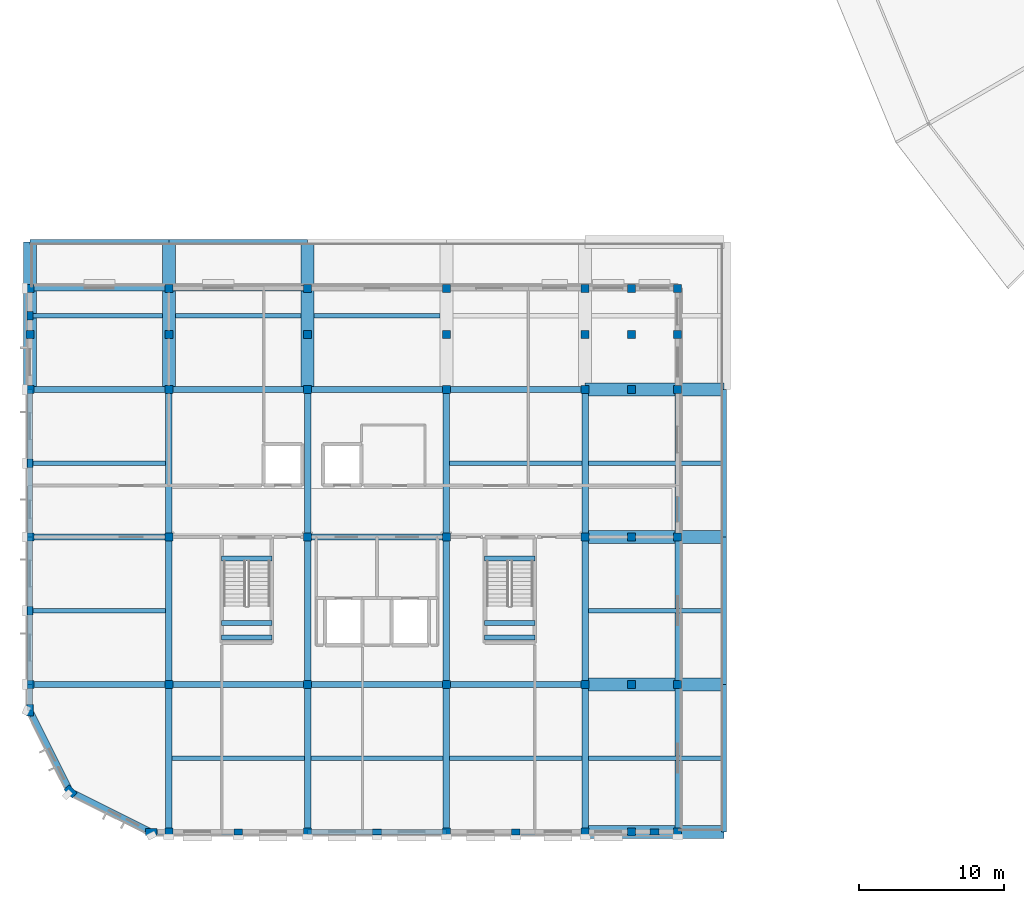
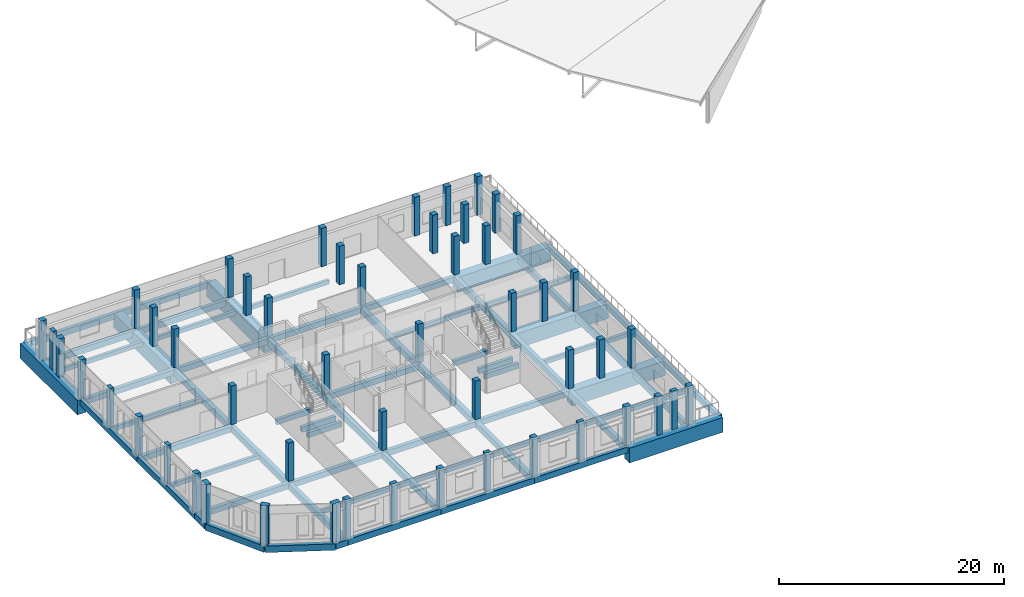
# One storey, part 1 of 70: 66 beams, 51 columns.
"""IFC4 building model written with IfcOpenShell, lengths in metres."""

from ifc_helpers import new_model, si_unit, direction, frame, origin, origin_2d, place, context, subcontext, project, spatial, rectangle, extrude, material, material_profile, profile_set, type_object, element, save


model = new_model("IFC4")

# Units and contexts
model_context = context("Model", 3, precision=1e-05, world=origin(), true_north=direction((0.0, 1.0)))
body_context = subcontext(model_context, "Body", "Model", "MODEL_VIEW")
ifc_project = project(units=[si_unit("LENGTHUNIT", "METRE"), si_unit("AREAUNIT", "SQUARE_METRE"), si_unit("VOLUMEUNIT", "CUBIC_METRE"), si_unit("PLANEANGLEUNIT", "RADIAN"), si_unit("MASSUNIT", "GRAM", prefix="KILO")], contexts=[model_context])

# Site, building, storey
site_placement = place(None, origin())
site = spatial("IfcSite", under=ifc_project, at=site_placement, CompositionType="ELEMENT")
building_placement = place(site_placement, origin())
building = spatial("IfcBuilding", under=site, at=building_placement, Name="Vondelvale Polytechnic", CompositionType="ELEMENT")
storey_placement = place(building_placement, frame((0.0, 0.0, 22.199951171875)))
storey = spatial("IfcBuildingStorey", under=building, at=storey_placement, Name="L05", CompositionType="ELEMENT", Elevation=22.199951171875)

# Columns
ifc_material_1 = material(Name="Concrete N50 (f'c = 50 MPa)", Category="concrete")
ifc_material_profile_1 = material_profile(ifc_material_1, rectangle(XDim=0.550048828125, YDim=0.550048828125, at=origin_2d()), Name="RC-COL-550x550")
ifc_profile_set_1 = profile_set([ifc_material_profile_1], Name="Concrete N50 (f'c = 50 MPa)")
column_type_1 = type_object("IfcColumnType", Name="COL-RC550", PredefinedType="COLUMN", material=ifc_profile_set_1)
for number, where, z_axis, x_axis, name in (
    (1, (0.0, 10.199951171875, 0.0), (0.0, 0.0, 1.0), (1.0, 0.0, 0.0), "L05 corner wing column (0.0,10.2)"),
    (2, (0.0, 20.39990234375, 0.0), (0.0, 0.0, 1.0), (1.0, 0.0, 0.0), "L05 corner wing column (0.0,20.4)"),
    (3, (0.0, 30.60009765625, 0.0), (0.0, 0.0, 1.0), (1.0, 0.0, 0.0), "L05 corner wing column (0.0,30.6)"),
    (4, (0.0, 34.39990234375, 0.0), (0.0, 0.0, 1.0), (1.0, 0.0, 0.0), "L05 corner wing column (0.0,34.4)"),
    (5, (0.0, 37.60009765625, 0.0), (0.0, 0.0, 1.0), (1.0, 0.0, 0.0), "L05 corner wing column (0.0,37.6)"),
    (6, (9.60009765625, 0.0, 0.0), (0.0, 0.0, 1.0), (1.0, 0.0, 0.0), "L05 corner wing column (9.6,0.0)"),
    (7, (9.60009765625, 10.199951171875, 0.0), (0.0, 0.0, 1.0), (1.0, 0.0, 0.0), "L05 corner wing column (9.6,10.2)"),
    (8, (9.60009765625, 20.39990234375, 0.0), (0.0, 0.0, 1.0), (1.0, 0.0, 0.0), "L05 corner wing column (9.6,20.4)"),
    (9, (9.60009765625, 30.60009765625, 0.0), (0.0, 0.0, 1.0), (1.0, 0.0, 0.0), "L05 corner wing column (9.6,30.6)"),
    (10, (9.60009765625, 34.39990234375, 0.0), (0.0, 0.0, 1.0), (1.0, 0.0, 0.0), "L05 corner wing column (9.6,34.4)"),
    (11, (9.60009765625, 37.60009765625, 0.0), (0.0, 0.0, 1.0), (1.0, 0.0, 0.0), "L05 corner wing column (9.6,37.6)"),
    (12, (19.199951171875, 0.0, 0.0), (0.0, 0.0, 1.0), (1.0, 0.0, 0.0), "L05 corner wing column (19.2,0.0)"),
    (13, (19.199951171875, 10.199951171875, 0.0), (0.0, 0.0, 1.0), (1.0, 0.0, 0.0), "L05 corner wing column (19.2,10.2)"),
    (14, (19.199951171875, 20.39990234375, 0.0), (0.0, 0.0, 1.0), (1.0, 0.0, 0.0), "L05 corner wing column (19.2,20.4)"),
    (15, (19.199951171875, 30.60009765625, 0.0), (0.0, 0.0, 1.0), (1.0, 0.0, 0.0), "L05 corner wing column (19.2,30.6)"),
    (16, (19.199951171875, 34.39990234375, 0.0), (0.0, 0.0, 1.0), (1.0, 0.0, 0.0), "L05 corner wing column (19.2,34.4)"),
    (17, (19.199951171875, 37.60009765625, 0.0), (0.0, 0.0, 1.0), (1.0, 0.0, 0.0), "L05 corner wing column (19.2,37.6)"),
    (18, (28.800048828125, 0.0, 0.0), (0.0, 0.0, 1.0), (1.0, 0.0, 0.0), "L05 corner wing column (28.8,0.0)"),
    (19, (28.800048828125, 10.199951171875, 0.0), (0.0, 0.0, 1.0), (1.0, 0.0, 0.0), "L05 corner wing column (28.8,10.2)"),
    (20, (28.800048828125, 20.39990234375, 0.0), (0.0, 0.0, 1.0), (1.0, 0.0, 0.0), "L05 corner wing column (28.8,20.4)"),
    (21, (28.800048828125, 30.60009765625, 0.0), (0.0, 0.0, 1.0), (1.0, 0.0, 0.0), "L05 corner wing column (28.8,30.6)"),
    (22, (28.800048828125, 34.39990234375, 0.0), (0.0, 0.0, 1.0), (1.0, 0.0, 0.0), "L05 corner wing column (28.8,34.4)"),
    (23, (28.800048828125, 37.60009765625, 0.0), (0.0, 0.0, 1.0), (1.0, 0.0, 0.0), "L05 corner wing column (28.8,37.6)"),
    (24, (38.39990234375, 0.0, 0.0), (0.0, 0.0, 1.0), (1.0, 0.0, 0.0), "L05 corner wing column (38.4,0.0)"),
    (25, (38.39990234375, 10.199951171875, 0.0), (0.0, 0.0, 1.0), (1.0, 0.0, 0.0), "L05 corner wing column (38.4,10.2)"),
    (26, (38.39990234375, 20.39990234375, 0.0), (0.0, 0.0, 1.0), (1.0, 0.0, 0.0), "L05 corner wing column (38.4,20.4)"),
    (27, (38.39990234375, 30.60009765625, 0.0), (0.0, 0.0, 1.0), (1.0, 0.0, 0.0), "L05 corner wing column (38.4,30.6)"),
    (28, (38.39990234375, 34.39990234375, 0.0), (0.0, 0.0, 1.0), (1.0, 0.0, 0.0), "L05 corner wing column (38.4,34.4)"),
    (29, (38.39990234375, 37.60009765625, 0.0), (0.0, 0.0, 1.0), (1.0, 0.0, 0.0), "L05 corner wing column (38.4,37.6)"),
    (30, (41.60009765625, 0.0, 0.0), (0.0, 0.0, 1.0), (1.0, 0.0, 0.0), "L05 corner wing column (41.6,0.0)"),
    (31, (41.60009765625, 10.199951171875, 0.0), (0.0, 0.0, 1.0), (1.0, 0.0, 0.0), "L05 corner wing column (41.6,10.2)"),
    (32, (41.60009765625, 20.39990234375, 0.0), (0.0, 0.0, 1.0), (1.0, 0.0, 0.0), "L05 corner wing column (41.6,20.4)"),
    (33, (41.60009765625, 30.60009765625, 0.0), (0.0, 0.0, 1.0), (1.0, 0.0, 0.0), "L05 corner wing column (41.6,30.6)"),
    (34, (41.60009765625, 34.39990234375, 0.0), (0.0, 0.0, 1.0), (1.0, 0.0, 0.0), "L05 corner wing column (41.6,34.4)"),
    (35, (41.60009765625, 37.60009765625, 0.0), (0.0, 0.0, 1.0), (1.0, 0.0, 0.0), "L05 corner wing column (41.6,37.6)"),
    (36, (44.800048828125, 0.0, 0.0), (0.0, 0.0, 1.0), (1.0, 0.0, 0.0), "L05 corner wing column (44.8,0.0)"),
    (37, (44.800048828125, 10.199951171875, 0.0), (0.0, 0.0, 1.0), (1.0, 0.0, 0.0), "L05 corner wing column (44.8,10.2)"),
    (38, (44.800048828125, 20.39990234375, 0.0), (0.0, 0.0, 1.0), (1.0, 0.0, 0.0), "L05 corner wing column (44.8,20.4)"),
    (39, (44.800048828125, 30.60009765625, 0.0), (0.0, 0.0, 1.0), (1.0, 0.0, 0.0), "L05 corner wing column (44.8,30.6)"),
    (40, (44.800048828125, 34.39990234375, 0.0), (0.0, 0.0, 1.0), (1.0, 0.0, 0.0), "L05 corner wing column (44.8,34.4)"),
    (41, (44.800048828125, 37.60009765625, 0.0), (0.0, 0.0, 1.0), (1.0, 0.0, 0.0), "L05 corner wing column (44.8,37.6)"),
):
    element("IfcColumn", number, at=place(storey_placement, frame(where, z_axis=z_axis, x_axis=x_axis)), inside=storey, type_object=column_type_1, Name=name, PredefinedType="COLUMN", context=body_context, shape_type="SweptSolid", body=[
        extrude(rectangle(XDim=0.550048828125, YDim=0.550048828125, at=origin_2d()), origin(), (0.0, 0.0, 1.0), 4.199951171875),
    ])
ifc_material_profile_2 = material_profile(ifc_material_1, rectangle(XDim=0.39990234375, YDim=0.60009765625, at=origin_2d()), Name="RC-PIL-600x400")
ifc_profile_set_2 = profile_set([ifc_material_profile_2], Name="Concrete N50 (f'c = 50 MPa)")
column_type_2 = type_object("IfcColumnType", Name="PIL-RC600x400", PredefinedType="PILASTER", material=ifc_profile_set_2)
for number, where, z_axis, x_axis, name in (
    (42, (14.39990234375, 0.0, 0.0), (0.0, 0.0, 1.0), (0.0, 1.0, 0.0), "L05 South street brick pilaster 1"),
    (43, (24.0, 0.0, 0.0), (0.0, 0.0, 1.0), (0.0, 1.0, 0.0), "L05 South street brick pilaster 2"),
    (44, (33.60009765625, 0.0, 0.0), (0.0, 0.0, 1.0), (0.0, 1.0, 0.0), "L05 South street brick pilaster 3"),
    (45, (43.199951171875, 0.0, 0.0), (0.0, 0.0, 1.0), (0.0, 1.0, 0.0), "L05 South street brick pilaster 4"),
    (46, (0.0, 15.300048828125, 0.0), (0.0, 0.0, 1.0), (1.0, 0.0, 0.0), "L05 West street brick pilaster 1"),
    (47, (0.0, 25.5, 0.0), (0.0, 0.0, 1.0), (1.0, 0.0, 0.0), "L05 West street brick pilaster 2"),
    (48, (0.0, 35.699951171875, 0.0), (0.0, 0.0, 1.0), (1.0, 0.0, 0.0), "L05 West street brick pilaster 3"),
):
    element("IfcColumn", number, at=place(storey_placement, frame(where, z_axis=z_axis, x_axis=x_axis)), inside=storey, type_object=column_type_2, Name=name, PredefinedType="PILASTER", context=body_context, shape_type="SweptSolid", body=[
        extrude(rectangle(XDim=0.39990234375, YDim=0.60009765625, at=origin_2d()), origin(), (0.0, 0.0, 1.0), 4.199951171875),
    ])
ifc_material_profile_3 = material_profile(ifc_material_1, rectangle(XDim=0.5, YDim=0.800048828125, at=origin_2d()), Name="RC-PIL-800x500")
ifc_profile_set_3 = profile_set([ifc_material_profile_3], Name="Concrete N50 (f'c = 50 MPa)")
column_type_3 = type_object("IfcColumnType", Name="PIL-RC800x500", PredefinedType="PILASTER", material=ifc_profile_set_3)
for number, where, z_axis, x_axis, name in (
    (49, (8.39990234375, 0.0, 0.0), (0.0, 0.0, 1.0), (0.0, 1.0, 0.0), "L05 SW corner turret pier TR-S"),
    (50, (2.800048828125, 2.800048828125, 0.0), (0.0, 0.0, 1.0), (0.707106781187, 0.707106781187, 0.0), "L05 SW corner turret pier TR-M"),
    (51, (0.0, 8.39990234375, 0.0), (0.0, 0.0, 1.0), (1.0, 0.0, 0.0), "L05 SW corner turret pier TR-W"),
):
    element("IfcColumn", number, at=place(storey_placement, frame(where, z_axis=z_axis, x_axis=x_axis)), inside=storey, type_object=column_type_3, Name=name, PredefinedType="PILASTER", context=body_context, shape_type="SweptSolid", body=[
        extrude(rectangle(XDim=0.5, YDim=0.800048828125, at=origin_2d()), origin(), (0.0, 0.0, 1.0), 4.199951171875),
    ])

# Beams
ifc_material_2 = material(Name="Concrete N40 (f'c = 40 MPa)", Category="concrete")
ifc_material_profile_4 = material_profile(ifc_material_2, rectangle(XDim=0.35009765625, YDim=0.550048828125, at=origin_2d()), Name="RC-BM-350x550")
ifc_profile_set_4 = profile_set([ifc_material_profile_4], Name="Concrete N40 (f'c = 40 MPa)")
beam_type_1 = type_object("IfcBeamType", Name="BM-RC350x550", PredefinedType="BEAM", material=ifc_profile_set_4)
for number, where, z_axis, x_axis, name in (
    (52, (13.25, 14.449951171875, 1.625), (1.0, 0.0, 0.0), (0.0, 1.0, 0.0), "L05 STLD B-06"),
    (53, (13.25, 13.449951171875, 1.625), (1.0, 0.0, 0.0), (0.0, 1.0, 0.0), "L05 STLD B-06"),
    (54, (13.25, 18.925048828125, -0.27490234375), (1.0, 0.0, 0.0), (0.0, 1.0, 0.0), "L05 STHD B-06"),
    (55, (31.449951171875, 14.449951171875, 1.625), (1.0, 0.0, 0.0), (0.0, 1.0, 0.0), "L05 STLD B-06"),
    (56, (31.449951171875, 13.449951171875, 1.625), (1.0, 0.0, 0.0), (0.0, 1.0, 0.0), "L05 STLD B-06"),
    (57, (31.449951171875, 18.925048828125, -0.27490234375), (1.0, 0.0, 0.0), (0.0, 1.0, 0.0), "L05 STHD B-06"),
):
    element("IfcBeam", number, at=place(storey_placement, frame(where, z_axis=z_axis, x_axis=x_axis)), inside=storey, type_object=beam_type_1, Name=name, PredefinedType="BEAM", context=body_context, shape_type="SweptSolid", body=[
        extrude(rectangle(XDim=0.35009765625, YDim=0.550048828125, at=origin_2d()), origin(), (0.0, 0.0, 1.0), 3.5),
    ])
ifc_material_profile_5 = material_profile(ifc_material_2, rectangle(XDim=0.39990234375, YDim=0.60009765625, at=origin_2d()), Name="RC-BM-400x600")
ifc_profile_set_5 = profile_set([ifc_material_profile_5], Name="Concrete N40 (f'c = 40 MPa)")
beam_type_2 = type_object("IfcBeamType", Name="BM-RC400x600", PredefinedType="BEAM", material=ifc_profile_set_5)
beam_1_placement = place(storey_placement, frame((0.0, 10.199951171875, -0.550048828125), z_axis=(1.0, 0.0, 0.0), x_axis=(0.0, 1.0, 0.0)))
element("IfcBeam", 58, at=beam_1_placement, inside=storey, type_object=beam_type_2, Name="L05 B B-05", PredefinedType="BEAM", context=body_context, shape_type="SweptSolid", body=[
    extrude(rectangle(XDim=0.39990234375, YDim=0.60009765625, at=origin_2d()), origin(), (0.0, 0.0, 1.0), 9.60009765625),
])
beam_2_placement = place(storey_placement, frame((9.60009765625, 10.199951171875, -0.550048828125), z_axis=(1.0, 0.0, 0.0), x_axis=(0.0, 1.0, 0.0)))
element("IfcBeam", 59, at=beam_2_placement, inside=storey, type_object=beam_type_2, Name="L05 B B-05", PredefinedType="BEAM", context=body_context, shape_type="SweptSolid", body=[
    extrude(rectangle(XDim=0.39990234375, YDim=0.60009765625, at=origin_2d()), origin(), (0.0, 0.0, 1.0), 9.599853515625),
])
beam_3_placement = place(storey_placement, frame((19.199951171875, 10.199951171875, -0.550048828125), z_axis=(1.0, 0.0, 0.0), x_axis=(0.0, 1.0, 0.0)))
element("IfcBeam", 60, at=beam_3_placement, inside=storey, type_object=beam_type_2, Name="L05 B B-05", PredefinedType="BEAM", context=body_context, shape_type="SweptSolid", body=[
    extrude(rectangle(XDim=0.39990234375, YDim=0.60009765625, at=origin_2d()), origin(), (0.0, 0.0, 1.0), 9.60009765625),
])
beam_4_placement = place(storey_placement, frame((28.800048828125, 10.199951171875, -0.550048828125), z_axis=(1.0, 0.0, 0.0), x_axis=(0.0, 1.0, 0.0)))
element("IfcBeam", 61, at=beam_4_placement, inside=storey, type_object=beam_type_2, Name="L05 B B-05", PredefinedType="BEAM", context=body_context, shape_type="SweptSolid", body=[
    extrude(rectangle(XDim=0.39990234375, YDim=0.60009765625, at=origin_2d()), origin(), (0.0, 0.0, 1.0), 9.599853515625),
])
for number, where, z_axis, x_axis, name in (
    (62, (0.0, 20.39990234375, -0.550048828125), (1.0, 0.0, 0.0), (0.0, 1.0, 0.0), "L05 B B-05"),
    (63, (19.199951171875, 20.39990234375, -0.550048828125), (1.0, 0.0, 0.0), (0.0, 1.0, 0.0), "L05 B B-05"),
    (64, (0.0, 30.60009765625, -0.550048828125), (1.0, 0.0, 0.0), (0.0, 1.0, 0.0), "L05 B B-05"),
):
    element("IfcBeam", number, at=place(storey_placement, frame(where, z_axis=z_axis, x_axis=x_axis)), inside=storey, type_object=beam_type_2, Name=name, PredefinedType="BEAM", context=body_context, shape_type="SweptSolid", body=[
        extrude(rectangle(XDim=0.39990234375, YDim=0.60009765625, at=origin_2d()), origin(), (0.0, 0.0, 1.0), 9.60009765625),
    ])
beam_5_placement = place(storey_placement, frame((9.60009765625, 30.60009765625, -0.550048828125), z_axis=(1.0, 0.0, 0.0), x_axis=(0.0, 1.0, 0.0)))
element("IfcBeam", 65, at=beam_5_placement, inside=storey, type_object=beam_type_2, Name="L05 B B-05", PredefinedType="BEAM", context=body_context, shape_type="SweptSolid", body=[
    extrude(rectangle(XDim=0.39990234375, YDim=0.60009765625, at=origin_2d()), origin(), (0.0, 0.0, 1.0), 9.599853515625),
])
beam_6_placement = place(storey_placement, frame((19.199951171875, 30.60009765625, -0.550048828125), z_axis=(1.0, 0.0, 0.0), x_axis=(0.0, 1.0, 0.0)))
element("IfcBeam", 66, at=beam_6_placement, inside=storey, type_object=beam_type_2, Name="L05 B B-05", PredefinedType="BEAM", context=body_context, shape_type="SweptSolid", body=[
    extrude(rectangle(XDim=0.39990234375, YDim=0.60009765625, at=origin_2d()), origin(), (0.0, 0.0, 1.0), 9.60009765625),
])
beam_7_placement = place(storey_placement, frame((28.800048828125, 30.60009765625, -0.550048828125), z_axis=(1.0, 0.0, 0.0), x_axis=(0.0, 1.0, 0.0)))
element("IfcBeam", 67, at=beam_7_placement, inside=storey, type_object=beam_type_2, Name="L05 B B-05", PredefinedType="BEAM", context=body_context, shape_type="SweptSolid", body=[
    extrude(rectangle(XDim=0.39990234375, YDim=0.60009765625, at=origin_2d()), origin(), (0.0, 0.0, 1.0), 9.599853515625),
])
ifc_material_profile_6 = material_profile(ifc_material_2, rectangle(XDim=0.449951171875, YDim=0.64990234375, at=origin_2d()), Name="RC-BM-450x650")
ifc_profile_set_6 = profile_set([ifc_material_profile_6], Name="Concrete N40 (f'c = 40 MPa)")
beam_type_3 = type_object("IfcBeamType", Name="BM-RC450x650", PredefinedType="BEAM", material=ifc_profile_set_6)
for number, where, z_axis, x_axis, name in (
    (68, (9.60009765625, 0.0, -0.574951171875), (0.0, 1.0, 0.0), (-1.0, 0.0, 0.0), "L05 B B-04"),
    (69, (9.60009765625, 10.199951171875, -0.574951171875), (0.0, 1.0, 0.0), (-1.0, 0.0, 0.0), "L05 B B-04"),
):
    element("IfcBeam", number, at=place(storey_placement, frame(where, z_axis=z_axis, x_axis=x_axis)), inside=storey, type_object=beam_type_3, Name=name, PredefinedType="BEAM", context=body_context, shape_type="SweptSolid", body=[
        extrude(rectangle(XDim=0.449951171875, YDim=0.64990234375, at=origin_2d()), origin(), (0.0, 0.0, 1.0), 10.199951171875),
    ])
beam_8_placement = place(storey_placement, frame((9.60009765625, 20.39990234375, -0.574951171875), z_axis=(0.0, 1.0, 0.0), x_axis=(-1.0, 0.0, 0.0)))
element("IfcBeam", 70, at=beam_8_placement, inside=storey, type_object=beam_type_3, Name="L05 B B-04", PredefinedType="BEAM", context=body_context, shape_type="SweptSolid", body=[
    extrude(rectangle(XDim=0.449951171875, YDim=0.64990234375, at=origin_2d()), origin(), (0.0, 0.0, 1.0), 10.2001953125),
])
for number, where, z_axis, x_axis, name in (
    (71, (19.199951171875, 0.0, -0.574951171875), (0.0, 1.0, 0.0), (-1.0, 0.0, 0.0), "L05 B B-04"),
    (72, (19.199951171875, 10.199951171875, -0.574951171875), (0.0, 1.0, 0.0), (-1.0, 0.0, 0.0), "L05 B B-04"),
):
    element("IfcBeam", number, at=place(storey_placement, frame(where, z_axis=z_axis, x_axis=x_axis)), inside=storey, type_object=beam_type_3, Name=name, PredefinedType="BEAM", context=body_context, shape_type="SweptSolid", body=[
        extrude(rectangle(XDim=0.449951171875, YDim=0.64990234375, at=origin_2d()), origin(), (0.0, 0.0, 1.0), 10.199951171875),
    ])
beam_9_placement = place(storey_placement, frame((19.199951171875, 20.39990234375, -0.574951171875), z_axis=(0.0, 1.0, 0.0), x_axis=(-1.0, 0.0, 0.0)))
element("IfcBeam", 73, at=beam_9_placement, inside=storey, type_object=beam_type_3, Name="L05 B B-04", PredefinedType="BEAM", context=body_context, shape_type="SweptSolid", body=[
    extrude(rectangle(XDim=0.449951171875, YDim=0.64990234375, at=origin_2d()), origin(), (0.0, 0.0, 1.0), 10.2001953125),
])
for number, where, z_axis, x_axis, name in (
    (74, (28.800048828125, 0.0, -0.574951171875), (0.0, 1.0, 0.0), (-1.0, 0.0, 0.0), "L05 B B-04"),
    (75, (28.800048828125, 10.199951171875, -0.574951171875), (0.0, 1.0, 0.0), (-1.0, 0.0, 0.0), "L05 B B-04"),
):
    element("IfcBeam", number, at=place(storey_placement, frame(where, z_axis=z_axis, x_axis=x_axis)), inside=storey, type_object=beam_type_3, Name=name, PredefinedType="BEAM", context=body_context, shape_type="SweptSolid", body=[
        extrude(rectangle(XDim=0.449951171875, YDim=0.64990234375, at=origin_2d()), origin(), (0.0, 0.0, 1.0), 10.199951171875),
    ])
beam_10_placement = place(storey_placement, frame((28.800048828125, 20.39990234375, -0.574951171875), z_axis=(0.0, 1.0, 0.0), x_axis=(-1.0, 0.0, 0.0)))
element("IfcBeam", 76, at=beam_10_placement, inside=storey, type_object=beam_type_3, Name="L05 B B-04", PredefinedType="BEAM", context=body_context, shape_type="SweptSolid", body=[
    extrude(rectangle(XDim=0.449951171875, YDim=0.64990234375, at=origin_2d()), origin(), (0.0, 0.0, 1.0), 10.2001953125),
])
for number, where, z_axis, x_axis, name in (
    (77, (38.39990234375, 0.0, -0.574951171875), (0.0, 1.0, 0.0), (-1.0, 0.0, 0.0), "L05 B B-04"),
    (78, (38.39990234375, 10.199951171875, -0.574951171875), (0.0, 1.0, 0.0), (-1.0, 0.0, 0.0), "L05 B B-04"),
):
    element("IfcBeam", number, at=place(storey_placement, frame(where, z_axis=z_axis, x_axis=x_axis)), inside=storey, type_object=beam_type_3, Name=name, PredefinedType="BEAM", context=body_context, shape_type="SweptSolid", body=[
        extrude(rectangle(XDim=0.449951171875, YDim=0.64990234375, at=origin_2d()), origin(), (0.0, 0.0, 1.0), 10.199951171875),
    ])
beam_11_placement = place(storey_placement, frame((38.39990234375, 20.39990234375, -0.574951171875), z_axis=(0.0, 1.0, 0.0), x_axis=(-1.0, 0.0, 0.0)))
element("IfcBeam", 79, at=beam_11_placement, inside=storey, type_object=beam_type_3, Name="L05 B B-04", PredefinedType="BEAM", context=body_context, shape_type="SweptSolid", body=[
    extrude(rectangle(XDim=0.449951171875, YDim=0.64990234375, at=origin_2d()), origin(), (0.0, 0.0, 1.0), 10.2001953125),
])
ifc_material_profile_7 = material_profile(ifc_material_1, rectangle(XDim=0.89990234375, YDim=1.60009765625, at=origin_2d()), Name="RC-TG-900x1600")
ifc_profile_set_7 = profile_set([ifc_material_profile_7], Name="Concrete N50 (f'c = 50 MPa)")
beam_type_4 = type_object("IfcBeamType", Name="BM-TG1600", PredefinedType="BEAM", material=ifc_profile_set_7)
for number, where, z_axis, x_axis, name in (
    (80, (38.39990234375, 0.0, -1.050048828125), (1.0, 0.0, 0.0), (0.0, 1.0, 0.0), "L05 reinforced concrete transfer girder TG-02"),
    (81, (38.39990234375, 10.199951171875, -1.050048828125), (1.0, 0.0, 0.0), (0.0, 1.0, 0.0), "L05 reinforced concrete transfer girder TG-02"),
    (82, (38.39990234375, 20.39990234375, -1.050048828125), (1.0, 0.0, 0.0), (0.0, 1.0, 0.0), "L05 reinforced concrete transfer girder TG-02"),
    (83, (38.39990234375, 30.60009765625, -1.050048828125), (1.0, 0.0, 0.0), (0.0, 1.0, 0.0), "L05 reinforced concrete transfer girder TG-02"),
):
    element("IfcBeam", number, at=place(storey_placement, frame(where, z_axis=z_axis, x_axis=x_axis)), inside=storey, type_object=beam_type_4, Name=name, PredefinedType="BEAM", context=body_context, shape_type="SweptSolid", body=[
        extrude(rectangle(XDim=0.89990234375, YDim=1.60009765625, at=origin_2d()), origin(), (0.0, 0.0, 1.0), 9.60009765625),
    ])
for number, where, z_axis, x_axis, name in (
    (84, (0.0, 30.60009765625, -1.050048828125), (0.0, 1.0, 0.0), (-1.0, 0.0, 0.0), "L05 reinforced concrete transfer girder TG-02"),
    (85, (9.60009765625, 30.60009765625, -1.050048828125), (0.0, 1.0, 0.0), (-1.0, 0.0, 0.0), "L05 reinforced concrete transfer girder TG-02"),
    (86, (19.199951171875, 30.60009765625, -1.050048828125), (0.0, 1.0, 0.0), (-1.0, 0.0, 0.0), "L05 reinforced concrete transfer girder TG-02"),
):
    element("IfcBeam", number, at=place(storey_placement, frame(where, z_axis=z_axis, x_axis=x_axis)), inside=storey, type_object=beam_type_4, Name=name, PredefinedType="BEAM", context=body_context, shape_type="SweptSolid", body=[
        extrude(rectangle(XDim=0.89990234375, YDim=1.60009765625, at=origin_2d()), origin(), (0.0, 0.0, 1.0), 10.199951171875),
    ])
ifc_material_profile_8 = material_profile(ifc_material_2, rectangle(XDim=0.300048828125, YDim=0.449951171875, at=origin_2d()), Name="RC-JST-300x450")
ifc_profile_set_8 = profile_set([ifc_material_profile_8], Name="Concrete N40 (f'c = 40 MPa)")
beam_type_5 = type_object("IfcBeamType", Name="JST-RC300x450", PredefinedType="JOIST", material=ifc_profile_set_8)
beam_12_placement = place(storey_placement, frame((9.824951171875, 5.10009765625, -0.474853515625), z_axis=(1.0, 0.0, 0.0), x_axis=(0.0, 1.0, 0.0)))
element("IfcBeam", 87, at=beam_12_placement, inside=storey, type_object=beam_type_5, Name="L05 J J-03", PredefinedType="JOIST", context=body_context, shape_type="SweptSolid", body=[
    extrude(rectangle(XDim=0.300048828125, YDim=0.449951171875, at=origin_2d()), origin(), (0.0, 0.0, 1.0), 9.150146484375),
])
beam_13_placement = place(storey_placement, frame((19.425048828125, 5.10009765625, -0.474853515625), z_axis=(1.0, 0.0, 0.0), x_axis=(0.0, 1.0, 0.0)))
element("IfcBeam", 88, at=beam_13_placement, inside=storey, type_object=beam_type_5, Name="L05 J J-03", PredefinedType="JOIST", context=body_context, shape_type="SweptSolid", body=[
    extrude(rectangle(XDim=0.300048828125, YDim=0.449951171875, at=origin_2d()), origin(), (0.0, 0.0, 1.0), 9.14990234375),
])
beam_14_placement = place(storey_placement, frame((29.02490234375, 5.10009765625, -0.474853515625), z_axis=(1.0, 0.0, 0.0), x_axis=(0.0, 1.0, 0.0)))
element("IfcBeam", 89, at=beam_14_placement, inside=storey, type_object=beam_type_5, Name="L05 J J-03", PredefinedType="JOIST", context=body_context, shape_type="SweptSolid", body=[
    extrude(rectangle(XDim=0.300048828125, YDim=0.449951171875, at=origin_2d()), origin(), (0.0, 0.0, 1.0), 9.150146484375),
])
for number, where, z_axis, x_axis, name in (
    (90, (38.625, 5.10009765625, -0.474853515625), (1.0, 0.0, 0.0), (0.0, 1.0, 0.0), "L05 J J-03"),
    (91, (0.175048828125, 15.300048828125, -0.474853515625), (1.0, 0.0, 0.0), (0.0, 1.0, 0.0), "L05 J J-03"),
    (92, (38.625, 15.300048828125, -0.474853515625), (1.0, 0.0, 0.0), (0.0, 1.0, 0.0), "L05 J J-03"),
    (93, (0.175048828125, 25.5, -0.474853515625), (1.0, 0.0, 0.0), (0.0, 1.0, 0.0), "L05 J J-03"),
):
    element("IfcBeam", number, at=place(storey_placement, frame(where, z_axis=z_axis, x_axis=x_axis)), inside=storey, type_object=beam_type_5, Name=name, PredefinedType="JOIST", context=body_context, shape_type="SweptSolid", body=[
        extrude(rectangle(XDim=0.300048828125, YDim=0.449951171875, at=origin_2d()), origin(), (0.0, 0.0, 1.0), 9.199951171875),
    ])
beam_15_placement = place(storey_placement, frame((29.02490234375, 25.5, -0.474853515625), z_axis=(1.0, 0.0, 0.0), x_axis=(0.0, 1.0, 0.0)))
element("IfcBeam", 94, at=beam_15_placement, inside=storey, type_object=beam_type_5, Name="L05 J J-03", PredefinedType="JOIST", context=body_context, shape_type="SweptSolid", body=[
    extrude(rectangle(XDim=0.300048828125, YDim=0.449951171875, at=origin_2d()), origin(), (0.0, 0.0, 1.0), 9.150146484375),
])
beam_16_placement = place(storey_placement, frame((38.625, 25.5, -0.474853515625), z_axis=(1.0, 0.0, 0.0), x_axis=(0.0, 1.0, 0.0)))
element("IfcBeam", 95, at=beam_16_placement, inside=storey, type_object=beam_type_5, Name="L05 J J-03", PredefinedType="JOIST", context=body_context, shape_type="SweptSolid", body=[
    extrude(rectangle(XDim=0.300048828125, YDim=0.449951171875, at=origin_2d()), origin(), (0.0, 0.0, 1.0), 9.199951171875),
])
beam_17_placement = place(storey_placement, frame((0.175048828125, 35.699951171875, -0.474853515625), z_axis=(1.0, 0.0, 0.0), x_axis=(0.0, 1.0, 0.0)))
element("IfcBeam", 96, at=beam_17_placement, inside=storey, type_object=beam_type_5, Name="L05 J J-03", PredefinedType="JOIST", context=body_context, shape_type="SweptSolid", body=[
    extrude(rectangle(XDim=0.300048828125, YDim=0.449951171875, at=origin_2d()), origin(), (0.0, 0.0, 1.0), 8.974853515625),
])
beam_18_placement = place(storey_placement, frame((10.050048828125, 35.699951171875, -0.474853515625), z_axis=(1.0, 0.0, 0.0), x_axis=(0.0, 1.0, 0.0)))
element("IfcBeam", 97, at=beam_18_placement, inside=storey, type_object=beam_type_5, Name="L05 J J-03", PredefinedType="JOIST", context=body_context, shape_type="SweptSolid", body=[
    extrude(rectangle(XDim=0.300048828125, YDim=0.449951171875, at=origin_2d()), origin(), (0.0, 0.0, 1.0), 8.699951171875),
])
beam_19_placement = place(storey_placement, frame((19.64990234375, 35.699951171875, -0.474853515625), z_axis=(1.0, 0.0, 0.0), x_axis=(0.0, 1.0, 0.0)))
element("IfcBeam", 98, at=beam_19_placement, inside=storey, type_object=beam_type_5, Name="L05 J J-03", PredefinedType="JOIST", context=body_context, shape_type="SweptSolid", body=[
    extrude(rectangle(XDim=0.300048828125, YDim=0.449951171875, at=origin_2d()), origin(), (0.0, 0.0, 1.0), 8.7001953125),
])
ifc_material_3 = material(Name="Precast concrete N40 (f'c = 40 MPa)", Category="concrete")
ifc_material_profile_9 = material_profile(ifc_material_3, rectangle(XDim=0.35009765625, YDim=0.64990234375, at=origin_2d()), Name="RC-SPN-350x650")
ifc_profile_set_9 = profile_set([ifc_material_profile_9], Name="Precast concrete N40 (f'c = 40 MPa)")
beam_type_6 = type_object("IfcBeamType", Name="SPN-PRE350x650", PredefinedType="SPANDREL", material=ifc_profile_set_9)
beam_20_placement = place(storey_placement, frame((8.39990234375, 0.0, -0.574951171875), z_axis=(1.0, 0.0, 0.0), x_axis=(0.0, 1.0, 0.0)))
element("IfcBeam", 99, at=beam_20_placement, inside=storey, type_object=beam_type_6, Name="L05 B SP-02", PredefinedType="SPANDREL", context=body_context, shape_type="SweptSolid", body=[
    extrude(rectangle(XDim=0.35009765625, YDim=0.64990234375, at=origin_2d()), origin(), (0.0, 0.0, 1.0), 1.2001953125),
])
beam_21_placement = place(storey_placement, frame((9.60009765625, 0.0, -0.574951171875), z_axis=(1.0, 0.0, 0.0), x_axis=(0.0, 1.0, 0.0)))
element("IfcBeam", 100, at=beam_21_placement, inside=storey, type_object=beam_type_6, Name="L05 B SP-02", PredefinedType="SPANDREL", context=body_context, shape_type="SweptSolid", body=[
    extrude(rectangle(XDim=0.35009765625, YDim=0.64990234375, at=origin_2d()), origin(), (0.0, 0.0, 1.0), 9.599853515625),
])
beam_22_placement = place(storey_placement, frame((19.199951171875, 0.0, -0.574951171875), z_axis=(1.0, 0.0, 0.0), x_axis=(0.0, 1.0, 0.0)))
element("IfcBeam", 101, at=beam_22_placement, inside=storey, type_object=beam_type_6, Name="L05 B SP-02", PredefinedType="SPANDREL", context=body_context, shape_type="SweptSolid", body=[
    extrude(rectangle(XDim=0.35009765625, YDim=0.64990234375, at=origin_2d()), origin(), (0.0, 0.0, 1.0), 9.60009765625),
])
beam_23_placement = place(storey_placement, frame((28.800048828125, 0.0, -0.574951171875), z_axis=(1.0, 0.0, 0.0), x_axis=(0.0, 1.0, 0.0)))
element("IfcBeam", 102, at=beam_23_placement, inside=storey, type_object=beam_type_6, Name="L05 B SP-02", PredefinedType="SPANDREL", context=body_context, shape_type="SweptSolid", body=[
    extrude(rectangle(XDim=0.35009765625, YDim=0.64990234375, at=origin_2d()), origin(), (0.0, 0.0, 1.0), 9.599853515625),
])
beam_24_placement = place(storey_placement, frame((0.0, 40.800048828125, -0.574951171875), z_axis=(1.0, 0.0, 0.0), x_axis=(0.0, 1.0, 0.0)))
element("IfcBeam", 103, at=beam_24_placement, inside=storey, type_object=beam_type_6, Name="L05 B SP-02", PredefinedType="SPANDREL", context=body_context, shape_type="SweptSolid", body=[
    extrude(rectangle(XDim=0.35009765625, YDim=0.64990234375, at=origin_2d()), origin(), (0.0, 0.0, 1.0), 9.60009765625),
])
beam_25_placement = place(storey_placement, frame((9.60009765625, 40.800048828125, -0.574951171875), z_axis=(1.0, 0.0, 0.0), x_axis=(0.0, 1.0, 0.0)))
element("IfcBeam", 104, at=beam_25_placement, inside=storey, type_object=beam_type_6, Name="L05 B SP-02", PredefinedType="SPANDREL", context=body_context, shape_type="SweptSolid", body=[
    extrude(rectangle(XDim=0.35009765625, YDim=0.64990234375, at=origin_2d()), origin(), (0.0, 0.0, 1.0), 9.599853515625),
])
beam_26_placement = place(storey_placement, frame((0.0, 8.39990234375, -0.574951171875), z_axis=(0.0, 1.0, 0.0), x_axis=(-1.0, 0.0, 0.0)))
element("IfcBeam", 105, at=beam_26_placement, inside=storey, type_object=beam_type_6, Name="L05 B SP-02", PredefinedType="SPANDREL", context=body_context, shape_type="SweptSolid", body=[
    extrude(rectangle(XDim=0.35009765625, YDim=0.64990234375, at=origin_2d()), origin(), (0.0, 0.0, 1.0), 1.800048828125),
])
beam_27_placement = place(storey_placement, frame((0.0, 10.199951171875, -0.574951171875), z_axis=(0.0, 1.0, 0.0), x_axis=(-1.0, 0.0, 0.0)))
element("IfcBeam", 106, at=beam_27_placement, inside=storey, type_object=beam_type_6, Name="L05 B SP-02", PredefinedType="SPANDREL", context=body_context, shape_type="SweptSolid", body=[
    extrude(rectangle(XDim=0.35009765625, YDim=0.64990234375, at=origin_2d()), origin(), (0.0, 0.0, 1.0), 10.199951171875),
])
beam_28_placement = place(storey_placement, frame((0.0, 20.39990234375, -0.574951171875), z_axis=(0.0, 1.0, 0.0), x_axis=(-1.0, 0.0, 0.0)))
element("IfcBeam", 107, at=beam_28_placement, inside=storey, type_object=beam_type_6, Name="L05 B SP-02", PredefinedType="SPANDREL", context=body_context, shape_type="SweptSolid", body=[
    extrude(rectangle(XDim=0.35009765625, YDim=0.64990234375, at=origin_2d()), origin(), (0.0, 0.0, 1.0), 10.2001953125),
])
for number, where, z_axis, x_axis, name in (
    (108, (48.0, 0.0, -0.574951171875), (0.0, 1.0, 0.0), (-1.0, 0.0, 0.0), "L05 B SP-02"),
    (109, (48.0, 10.199951171875, -0.574951171875), (0.0, 1.0, 0.0), (-1.0, 0.0, 0.0), "L05 B SP-02"),
):
    element("IfcBeam", number, at=place(storey_placement, frame(where, z_axis=z_axis, x_axis=x_axis)), inside=storey, type_object=beam_type_6, Name=name, PredefinedType="SPANDREL", context=body_context, shape_type="SweptSolid", body=[
        extrude(rectangle(XDim=0.35009765625, YDim=0.64990234375, at=origin_2d()), origin(), (0.0, 0.0, 1.0), 10.199951171875),
    ])
beam_29_placement = place(storey_placement, frame((48.0, 20.39990234375, -0.574951171875), z_axis=(0.0, 1.0, 0.0), x_axis=(-1.0, 0.0, 0.0)))
element("IfcBeam", 110, at=beam_29_placement, inside=storey, type_object=beam_type_6, Name="L05 B SP-02", PredefinedType="SPANDREL", context=body_context, shape_type="SweptSolid", body=[
    extrude(rectangle(XDim=0.35009765625, YDim=0.64990234375, at=origin_2d()), origin(), (0.0, 0.0, 1.0), 10.2001953125),
])
for number, where, z_axis, x_axis, name in (
    (111, (44.800048828125, 0.0, -0.574951171875), (0.0, 1.0, 0.0), (-1.0, 0.0, 0.0), "L05 B SP-02"),
    (112, (44.800048828125, 10.199951171875, -0.574951171875), (0.0, 1.0, 0.0), (-1.0, 0.0, 0.0), "L05 B SP-02"),
):
    element("IfcBeam", number, at=place(storey_placement, frame(where, z_axis=z_axis, x_axis=x_axis)), inside=storey, type_object=beam_type_6, Name=name, PredefinedType="SPANDREL", context=body_context, shape_type="SweptSolid", body=[
        extrude(rectangle(XDim=0.35009765625, YDim=0.64990234375, at=origin_2d()), origin(), (0.0, 0.0, 1.0), 10.199951171875),
    ])
beam_30_placement = place(storey_placement, frame((44.800048828125, 20.39990234375, -0.574951171875), z_axis=(0.0, 1.0, 0.0), x_axis=(-1.0, 0.0, 0.0)))
element("IfcBeam", 113, at=beam_30_placement, inside=storey, type_object=beam_type_6, Name="L05 B SP-02", PredefinedType="SPANDREL", context=body_context, shape_type="SweptSolid", body=[
    extrude(rectangle(XDim=0.35009765625, YDim=0.64990234375, at=origin_2d()), origin(), (0.0, 0.0, 1.0), 10.2001953125),
])
beam_31_placement = place(storey_placement, frame((0.0, 37.60009765625, -0.574951171875), z_axis=(1.0, 0.0, 0.0), x_axis=(0.0, 1.0, 0.0)))
element("IfcBeam", 114, at=beam_31_placement, inside=storey, type_object=beam_type_6, Name="L05 B SP-02", PredefinedType="SPANDREL", context=body_context, shape_type="SweptSolid", body=[
    extrude(rectangle(XDim=0.35009765625, YDim=0.64990234375, at=origin_2d()), origin(), (0.0, 0.0, 1.0), 9.60009765625),
])
beam_32_placement = place(storey_placement, frame((9.60009765625, 37.60009765625, -0.574951171875), z_axis=(1.0, 0.0, 0.0), x_axis=(0.0, 1.0, 0.0)))
element("IfcBeam", 115, at=beam_32_placement, inside=storey, type_object=beam_type_6, Name="L05 B SP-02", PredefinedType="SPANDREL", context=body_context, shape_type="SweptSolid", body=[
    extrude(rectangle(XDim=0.35009765625, YDim=0.64990234375, at=origin_2d()), origin(), (0.0, 0.0, 1.0), 9.599853515625),
])
ifc_material_profile_10 = material_profile(ifc_material_3, rectangle(XDim=0.39990234375, YDim=0.699951171875, at=origin_2d()), Name="RC-SPN-400x700")
ifc_profile_set_10 = profile_set([ifc_material_profile_10], Name="Precast concrete N40 (f'c = 40 MPa)")
beam_type_7 = type_object("IfcBeamType", Name="SPN-PRE400x700", PredefinedType="SPANDREL", material=ifc_profile_set_10)
for number, where, z_axis, x_axis, name in (
    (116, (8.39990234375, 0.0, -0.599853515625), (-0.894419391942, 0.447229193276, 0.0), (-0.447229193276, -0.894419391942, 0.0), "L05 SP SP-01"),
    (117, (2.800048828125, 2.800048828125, -0.599853515625), (-0.447229193276, 0.894419391942, 0.0), (-0.894419391942, -0.447229193276, 0.0), "L05 SP SP-01"),
):
    element("IfcBeam", number, at=place(storey_placement, frame(where, z_axis=z_axis, x_axis=x_axis)), inside=storey, type_object=beam_type_7, Name=name, PredefinedType="SPANDREL", context=body_context, shape_type="SweptSolid", body=[
        extrude(rectangle(XDim=0.39990234375, YDim=0.699951171875, at=origin_2d()), origin(), (0.0, 0.0, 1.0), 6.260986328125),
    ])

save(model, "model.ifc")
